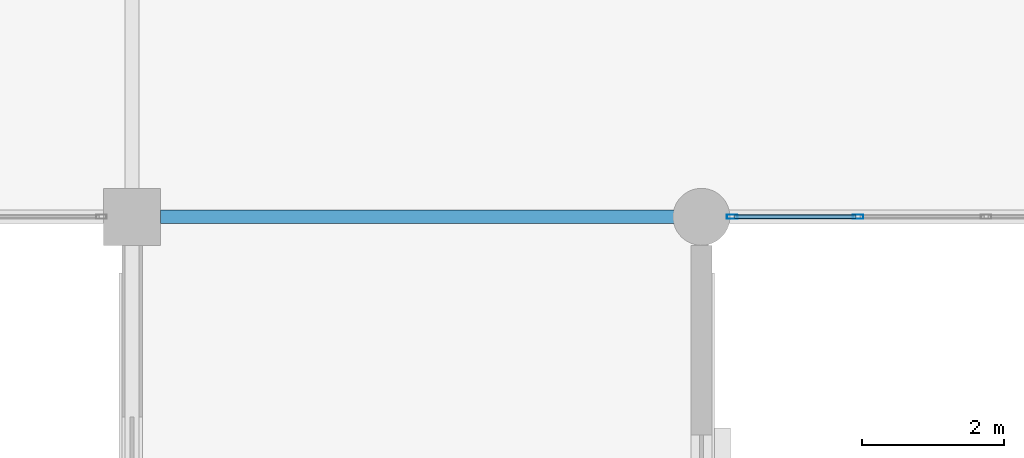
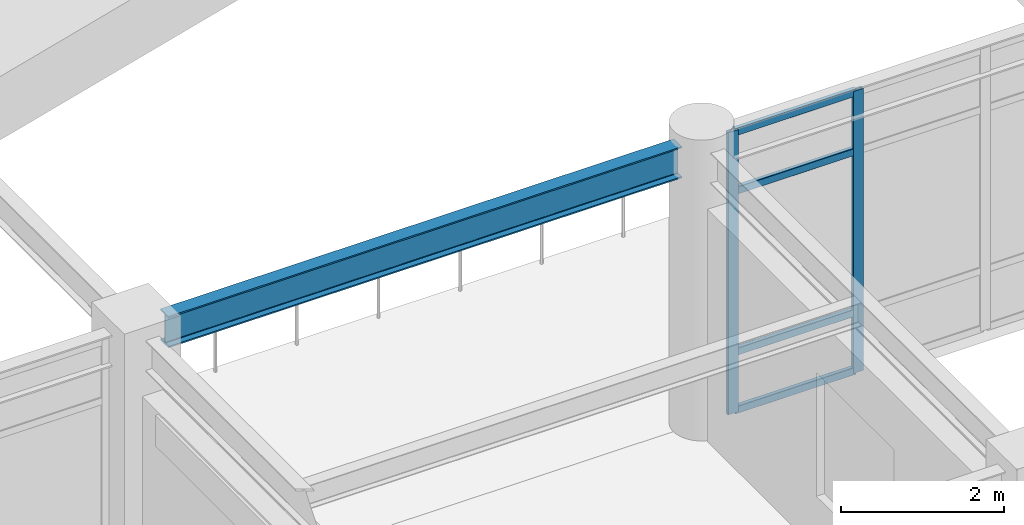
# One storey, part 21 of 78: 6 members, 1 beam, 1 element without a shape of its own.
"""IFC4 building model written with IfcOpenShell, lengths in metres."""

from ifc_helpers import new_model, si_unit, direction, frame, origin, origin_2d, place, context, subcontext, project, spatial, hollow_rectangle, i_section, extrude, material, material_profile, profile_set, type_object, element, aggregate, save


model = new_model("IFC4")

# Units and contexts
model_context = context("Model", 3, precision=1e-05, world=origin(), true_north=direction((0.0, 1.0)))
body_context = subcontext(model_context, "Body", "Model", "MODEL_VIEW")
ifc_project = project(units=[si_unit("LENGTHUNIT", "METRE"), si_unit("AREAUNIT", "SQUARE_METRE"), si_unit("VOLUMEUNIT", "CUBIC_METRE"), si_unit("PLANEANGLEUNIT", "RADIAN"), si_unit("MASSUNIT", "GRAM", prefix="KILO")], contexts=[model_context])

# Site, building, storey
site_placement = place(None, origin())
site = spatial("IfcSite", under=ifc_project, at=site_placement, CompositionType="ELEMENT")
building_placement = place(site_placement, origin())
building = spatial("IfcBuilding", under=site, at=building_placement, Name="Solmirada Galleria", CompositionType="ELEMENT")
storey_placement = place(building_placement, frame((0.0, 0.0, 23.89990234375)))
storey = spatial("IfcBuildingStorey", under=building, at=storey_placement, Name="L05", CompositionType="ELEMENT", Elevation=23.89990234375)

# Beam
ifc_material_1 = material(Name="Steel S355 / ASTM A992 Grade 50", Category="steel")
ifc_material_profile_1 = material_profile(ifc_material_1, i_section(OverallWidth=0.194091796875, OverallDepth=0.468994140625, WebThickness=0.0126953125, FlangeThickness=0.0205078125, FilletRadius=0.013916015625, at=origin_2d()), Name="W18X71")
ifc_profile_set_1 = profile_set([ifc_material_profile_1], Name="Steel S355 / ASTM A992 Grade 50")
beam_type = type_object("IfcBeamType", Name="BM-GIRD-W18B", PredefinedType="BEAM", material=ifc_profile_set_1)
beam_placement = place(storey_placement, frame((88.39990234375, 48.0, 4.065673828125), z_axis=(1.0, 0.0, 0.0), x_axis=(0.0, 1.0, 0.0)))
element("IfcBeam", 1, at=beam_placement, inside=storey, type_object=beam_type, Name="Primary beam L06 X(88..96, 48)", PredefinedType="BEAM", context=body_context, shape_type="SweptSolid", body=[
    extrude(i_section(OverallWidth=0.194091796875, OverallDepth=0.468994140625, WebThickness=0.0126953125, FlangeThickness=0.0205078125, FilletRadius=0.013916015625, at=origin_2d()), origin(), (0.0, 0.0, 1.0), 7.26416015625),
])

# Curtain wall, members
ifc_material_2 = material(Name="Impact-resistant low-E double glazing", Category="glass")
curtain_wall_type = type_object("IfcCurtainWallType", Name="CW-FZ3-L05-B4-L072", PredefinedType="NOTDEFINED", material=ifc_material_2)
curtain_wall_placement = place(storey_placement, origin())
curtain_wall = element("IfcCurtainWall", 2, at=curtain_wall_placement, inside=storey, type_object=curtain_wall_type, Name="Terrace and arcade storefront CW-L05-180", PredefinedType="NOTDEFINED")
ifc_material_3 = material(Name="Anodised aluminium framing", Category="aluminium")
ifc_material_profile_2 = material_profile(ifc_material_3, hollow_rectangle(XDim=0.06005859375, YDim=0.14990234375, WallThickness=0.00341796875, InnerFilletRadius=0.00341796875, OuterFilletRadius=0.007080078125, at=origin_2d()), Name="ALU-MULL-150X60")
ifc_profile_set_2 = profile_set([ifc_material_profile_2], Name="Anodised aluminium framing")
member_type_1 = type_object("IfcMemberType", Name="CW-MULL-150", PredefinedType="MULLION", material=ifc_profile_set_2)
member_1_placement = place(storey_placement, frame((98.200927734375, 48.0, 0.0), z_axis=(0.0, 0.0, 1.0), x_axis=(0.0, -1.0, 0.0)))
member_1 = element("IfcMember", 3, at=member_1_placement, type_object=member_type_1, Name="CW33 mullion 4", PredefinedType="MULLION", context=body_context, shape_type="SweptSolid", body=[
    extrude(hollow_rectangle(XDim=0.06005859375, YDim=0.14990234375, WallThickness=0.00341796875, InnerFilletRadius=0.00341796875, OuterFilletRadius=0.007080078125, at=origin_2d()), origin(), (0.0, 0.0, 1.0), 4.22021484375),
])
member_2_placement = place(storey_placement, frame((96.431884765625, 48.0, 0.0), z_axis=(0.0, 0.0, 1.0), x_axis=(0.0, -1.0, 0.0)))
member_2 = element("IfcMember", 4, at=member_2_placement, type_object=member_type_1, Name="CW33 mullion 5", PredefinedType="MULLION", context=body_context, shape_type="SweptSolid", body=[
    extrude(hollow_rectangle(XDim=0.06005859375, YDim=0.14990234375, WallThickness=0.00341796875, InnerFilletRadius=0.00341796875, OuterFilletRadius=0.007080078125, at=origin_2d()), origin(), (0.0, 0.0, 1.0), 4.22021484375),
])
ifc_material_profile_3 = material_profile(ifc_material_3, hollow_rectangle(XDim=0.06005859375, YDim=0.110107421875, WallThickness=0.003173828125, InnerFilletRadius=0.003173828125, OuterFilletRadius=0.00634765625, at=origin_2d()), Name="ALU-TRAN-110X60")
ifc_profile_set_3 = profile_set([ifc_material_profile_3], Name="Anodised aluminium framing")
member_type_2 = type_object("IfcMemberType", Name="CW-TRAN-110", PredefinedType="USERDEFINED", material=ifc_profile_set_3)
member_3_placement = place(storey_placement, frame((98.1708984375, 48.0, 0.030029296875), z_axis=(-1.0, 0.0, 0.0), x_axis=(0.0, -1.0, 0.0)))
member_3 = element("IfcMember", 5, at=member_3_placement, type_object=member_type_2, Name="CW33 transom 4.1", ObjectType="TRANSOM", PredefinedType="USERDEFINED", context=body_context, shape_type="SweptSolid", body=[
    extrude(hollow_rectangle(XDim=0.06005859375, YDim=0.110107421875, WallThickness=0.003173828125, InnerFilletRadius=0.003173828125, OuterFilletRadius=0.00634765625, at=origin_2d()), origin(), (0.0, 0.0, 1.0), 1.708984375),
])
member_4_placement = place(storey_placement, frame((98.1708984375, 48.0, 0.900146484375), z_axis=(-1.0, 0.0, 0.0), x_axis=(0.0, -1.0, 0.0)))
member_4 = element("IfcMember", 6, at=member_4_placement, type_object=member_type_2, Name="CW33 transom 4.2", ObjectType="TRANSOM", PredefinedType="USERDEFINED", context=body_context, shape_type="SweptSolid", body=[
    extrude(hollow_rectangle(XDim=0.06005859375, YDim=0.110107421875, WallThickness=0.003173828125, InnerFilletRadius=0.003173828125, OuterFilletRadius=0.00634765625, at=origin_2d()), origin(), (0.0, 0.0, 1.0), 1.708984375),
])
member_5_placement = place(storey_placement, frame((98.1708984375, 48.0, 3.31005859375), z_axis=(-1.0, 0.0, 0.0), x_axis=(0.0, -1.0, 0.0)))
member_5 = element("IfcMember", 7, at=member_5_placement, type_object=member_type_2, Name="CW33 transom 4.3", ObjectType="TRANSOM", PredefinedType="USERDEFINED", context=body_context, shape_type="SweptSolid", body=[
    extrude(hollow_rectangle(XDim=0.06005859375, YDim=0.110107421875, WallThickness=0.003173828125, InnerFilletRadius=0.003173828125, OuterFilletRadius=0.00634765625, at=origin_2d()), origin(), (0.0, 0.0, 1.0), 1.708984375),
])
member_6_placement = place(storey_placement, frame((98.1708984375, 48.0, 4.190185546875), z_axis=(-1.0, 0.0, 0.0), x_axis=(0.0, -1.0, 0.0)))
member_6 = element("IfcMember", 8, at=member_6_placement, type_object=member_type_2, Name="CW33 transom 4.4", ObjectType="TRANSOM", PredefinedType="USERDEFINED", context=body_context, shape_type="SweptSolid", body=[
    extrude(hollow_rectangle(XDim=0.06005859375, YDim=0.110107421875, WallThickness=0.003173828125, InnerFilletRadius=0.003173828125, OuterFilletRadius=0.00634765625, at=origin_2d()), origin(), (0.0, 0.0, 1.0), 1.708984375),
])
aggregate(curtain_wall, [member_1, member_2, member_3, member_4, member_5, member_6])

save(model, "model.ifc")
